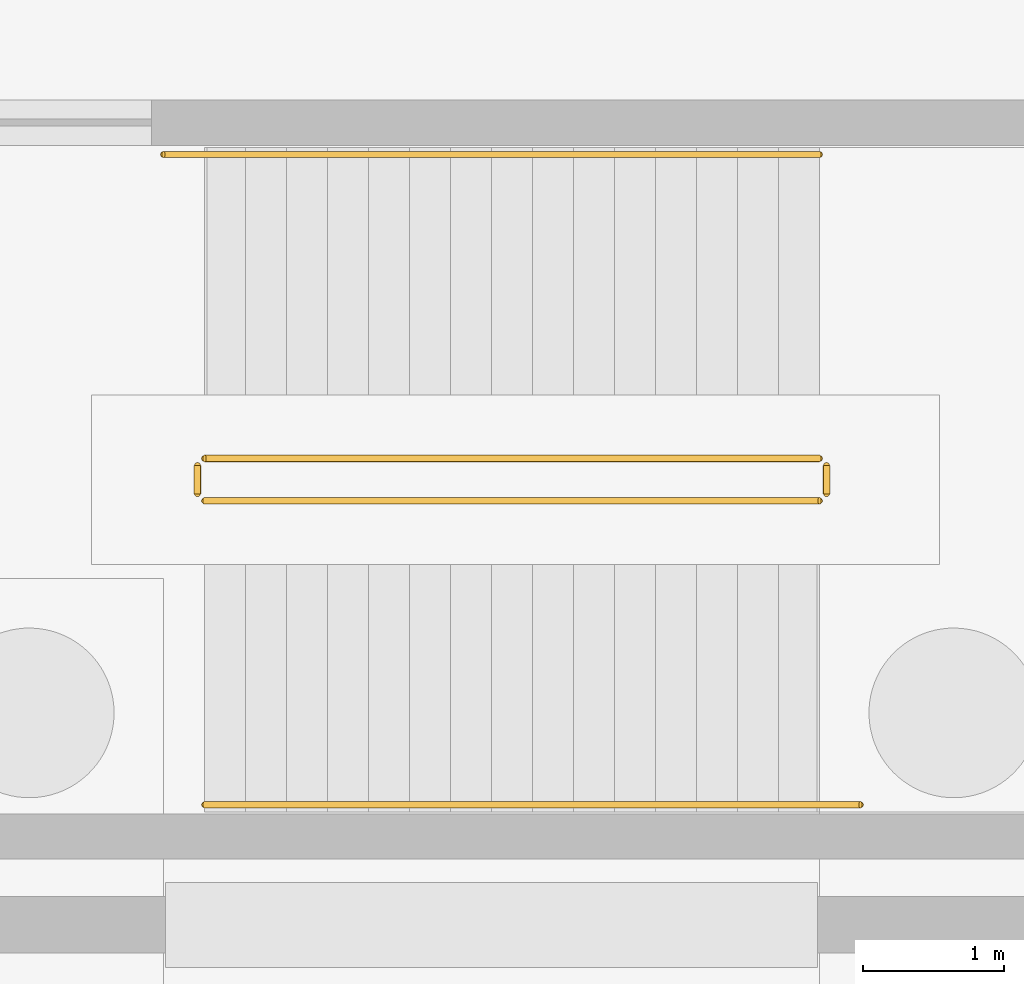
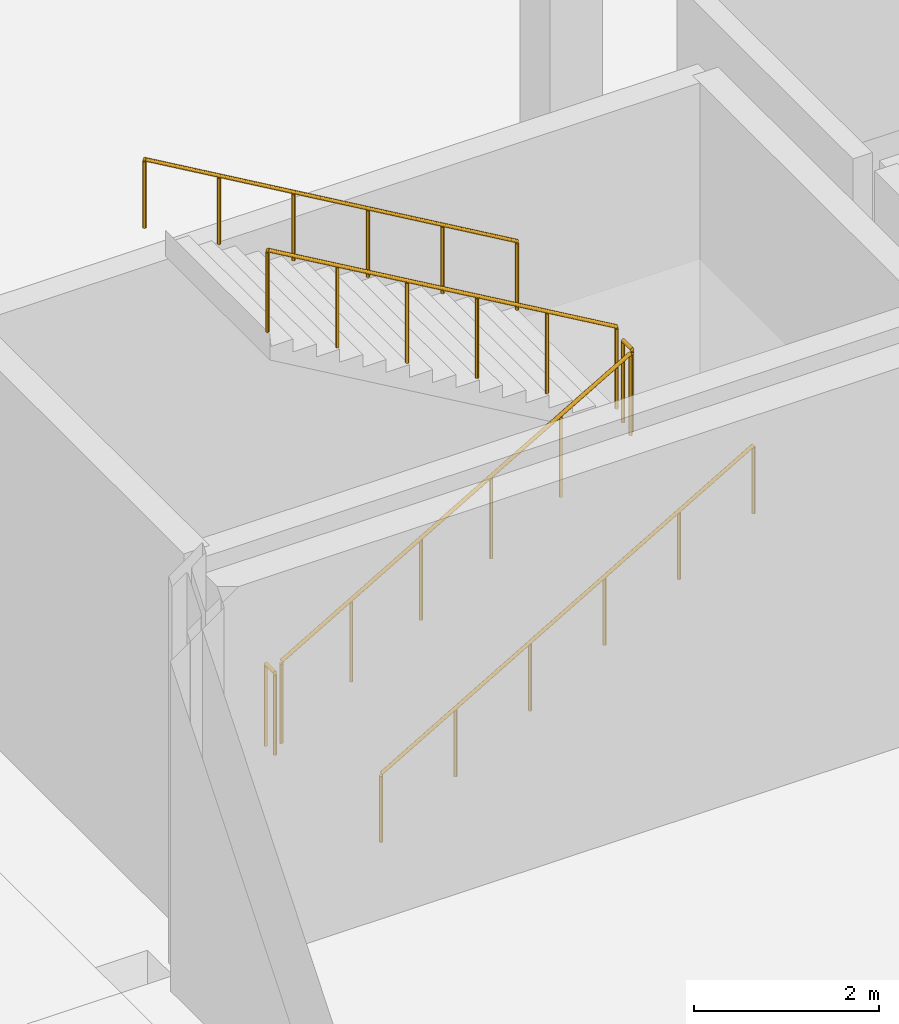
# One storey, part 55 of 60: 6 railings.
"""IFC4 building model written with IfcOpenShell, lengths in metres."""

from ifc_helpers import new_model, si_unit, direction, frame, origin, origin_2d, place, context, subcontext, project, spatial, circle, extrude, material, type_object, element, save


model = new_model("IFC4")

# Units and contexts
model_context = context("Model", 3, precision=1e-05, world=origin(), true_north=direction((0.0, 1.0)))
body_context = subcontext(model_context, "Body", "Model", "MODEL_VIEW")
ifc_project = project(units=[si_unit("LENGTHUNIT", "METRE"), si_unit("AREAUNIT", "SQUARE_METRE"), si_unit("VOLUMEUNIT", "CUBIC_METRE"), si_unit("PLANEANGLEUNIT", "RADIAN"), si_unit("MASSUNIT", "GRAM", prefix="KILO")], contexts=[model_context])

# Site, building, storey
site_placement = place(None, origin())
site = spatial("IfcSite", under=ifc_project, at=site_placement, CompositionType="ELEMENT")
building_placement = place(site_placement, origin())
building = spatial("IfcBuilding", under=site, at=building_placement, Name="Trimount Lyric Opera House", CompositionType="ELEMENT")
storey_placement = place(building_placement, frame((0.0, 0.0, -5.39990234375)))
storey = spatial("IfcBuildingStorey", under=building, at=storey_placement, Name="B1", CompositionType="ELEMENT", Elevation=-5.39990234375)

# Railings
ifc_material_1 = material(Name="Brushed Stainless Steel 316", Category="steel")
railing_type_1 = type_object("IfcRailingType", Name="RL-GRD110", PredefinedType="GUARDRAIL", material=ifc_material_1)
railing_1_placement = place(storey_placement, frame((67.050048828125, 87.0, 0.168701171875)))
element("IfcRailing", 1, at=railing_1_placement, inside=storey, type_object=railing_type_1, Name="B1 ST-03 stair guard 1", PredefinedType="GUARDRAIL", context=body_context, shape_type="SweptSolid", body=[
    extrude(circle(Radius=0.02392578125, at=origin_2d()), frame((0.0, 0.0, 1.076171875), z_axis=(0.864311530196, 0.0, 0.502956835891), x_axis=(0.0, 1.0, 0.0)), (0.0, 0.0, 1.0), 5.03271484375),
    extrude(circle(Radius=0.02099609375, at=origin_2d()), origin(), (0.0, 0.0, 1.0), 1.052001953125),
    extrude(circle(Radius=0.02099609375, at=origin_2d()), frame((0.869873046875, 0.0, 0.50634765625)), (0.0, 0.0, 1.0), 1.052001953125),
    extrude(circle(Radius=0.02099609375, at=origin_2d()), frame((1.739990234375, 0.0, 1.012451171875)), (0.0, 0.0, 1.0), 1.052001953125),
    extrude(circle(Radius=0.02099609375, at=origin_2d()), frame((2.60986328125, 0.0, 1.518798828125)), (0.0, 0.0, 1.0), 1.052001953125),
    extrude(circle(Radius=0.02099609375, at=origin_2d()), frame((3.47998046875, 0.0, 2.02490234375)), (0.0, 0.0, 1.0), 1.052001953125),
    extrude(circle(Radius=0.02099609375, at=origin_2d()), frame((4.349853515625, 0.0, 2.53125)), (0.0, 0.0, 1.0), 1.052001953125),
])
railing_2_placement = place(storey_placement, frame((71.449951171875, 87.050048828125, 2.699951171875)))
element("IfcRailing", 2, at=railing_2_placement, inside=storey, type_object=railing_type_1, Name="B1 ST-03 stair guard 2", PredefinedType="GUARDRAIL", context=body_context, shape_type="SweptSolid", body=[
    extrude(circle(Radius=0.02392578125, at=origin_2d()), frame((0.0, 0.0, 1.076171875), z_axis=(0.0, 1.0, 0.0), x_axis=(-1.0, 0.0, 0.0)), (0.0, 0.0, 1.0), 0.199951171875),
    extrude(circle(Radius=0.02099609375, at=origin_2d()), origin(), (0.0, 0.0, 1.0), 1.052001953125),
    extrude(circle(Radius=0.02099609375, at=origin_2d()), frame((0.0, 0.199951171875, 0.0)), (0.0, 0.0, 1.0), 1.052001953125),
])
railing_3_placement = place(storey_placement, frame((71.39990234375, 87.300048828125, 2.86865234375)))
element("IfcRailing", 3, at=railing_3_placement, inside=storey, type_object=railing_type_1, Name="B1 ST-03 stair guard 3", PredefinedType="GUARDRAIL", context=body_context, shape_type="SweptSolid", body=[
    extrude(circle(Radius=0.02392578125, at=origin_2d()), frame((0.0, 0.0, 1.076171875), z_axis=(-0.864311530196, 0.0, 0.502956835891), x_axis=(0.0, -1.0, 0.0)), (0.0, 0.0, 1.0), 5.03271484375),
    extrude(circle(Radius=0.02099609375, at=origin_2d()), origin(), (0.0, 0.0, 1.0), 1.052001953125),
    extrude(circle(Radius=0.02099609375, at=origin_2d()), frame((-0.869873046875, 0.0, 0.50634765625)), (0.0, 0.0, 1.0), 1.052001953125),
    extrude(circle(Radius=0.02099609375, at=origin_2d()), frame((-1.739990234375, 0.0, 1.012451171875)), (0.0, 0.0, 1.0), 1.052001953125),
    extrude(circle(Radius=0.02099609375, at=origin_2d()), frame((-2.60986328125, 0.0, 1.518798828125)), (0.0, 0.0, 1.0), 1.052001953125),
    extrude(circle(Radius=0.02099609375, at=origin_2d()), frame((-3.47998046875, 0.0, 2.02490234375)), (0.0, 0.0, 1.0), 1.052001953125),
    extrude(circle(Radius=0.02099609375, at=origin_2d()), frame((-4.349853515625, 0.0, 2.53125)), (0.0, 0.0, 1.0), 1.052001953125),
])
railing_4_placement = place(storey_placement, frame((67.0, 87.050048828125, 0.0)))
element("IfcRailing", 4, at=railing_4_placement, inside=storey, type_object=railing_type_1, Name="B1 ST-03 stair guard 4", PredefinedType="GUARDRAIL", context=body_context, shape_type="SweptSolid", body=[
    extrude(circle(Radius=0.02392578125, at=origin_2d()), frame((0.0, 0.0, 1.076171875), z_axis=(0.0, 1.0, 0.0), x_axis=(-1.0, 0.0, 0.0)), (0.0, 0.0, 1.0), 0.199951171875),
    extrude(circle(Radius=0.02099609375, at=origin_2d()), origin(), (0.0, 0.0, 1.0), 1.052001953125),
    extrude(circle(Radius=0.02099609375, at=origin_2d()), frame((0.0, 0.199951171875, 0.0)), (0.0, 0.0, 1.0), 1.052001953125),
])
ifc_material_2 = material(Name="Brushed Stainless Steel 316", Category="steel")
railing_type_2 = type_object("IfcRailingType", Name="RL-HND092", PredefinedType="HANDRAIL", material=ifc_material_2)
railing_5_placement = place(storey_placement, frame((67.050048828125, 84.85009765625, 0.168701171875)))
element("IfcRailing", 5, at=railing_5_placement, inside=storey, type_object=railing_type_2, Name="B1 ST-03 stair handrail 1", PredefinedType="HANDRAIL", context=body_context, shape_type="SweptSolid", body=[
    extrude(circle(Radius=0.0224609375, at=origin_2d()), frame((0.0, 0.0, 0.8974609375), z_axis=(0.864060742353, 0.0, 0.503387557976), x_axis=(0.0, 1.0, 0.0)), (0.0, 0.0, 1.0), 5.369873046875),
    extrude(circle(Radius=0.02099609375, at=origin_2d()), origin(), (0.0, 0.0, 1.0), 0.875),
    extrude(circle(Radius=0.02099609375, at=origin_2d()), frame((0.927978515625, 0.0, 0.54052734375)), (0.0, 0.0, 1.0), 0.875),
    extrude(circle(Radius=0.02099609375, at=origin_2d()), frame((1.85595703125, 0.0, 1.081298828125)), (0.0, 0.0, 1.0), 0.875),
    extrude(circle(Radius=0.02099609375, at=origin_2d()), frame((2.783935546875, 0.0, 1.621826171875)), (0.0, 0.0, 1.0), 0.875),
    extrude(circle(Radius=0.02099609375, at=origin_2d()), frame((3.7119140625, 0.0, 2.16259765625)), (0.0, 0.0, 1.0), 0.875),
    extrude(circle(Radius=0.02099609375, at=origin_2d()), frame((4.639892578125, 0.0, 2.703125)), (0.0, 0.0, 1.0), 0.875),
])
railing_6_placement = place(storey_placement, frame((71.39990234375, 89.449951171875, 2.86865234375)))
element("IfcRailing", 6, at=railing_6_placement, inside=storey, type_object=railing_type_2, Name="B1 ST-03 stair handrail 2", PredefinedType="HANDRAIL", context=body_context, shape_type="SweptSolid", body=[
    extrude(circle(Radius=0.0224609375, at=origin_2d()), frame((0.0, 0.0, 0.8974609375), z_axis=(-0.864060742353, 0.0, 0.503387557976), x_axis=(0.0, -1.0, 0.0)), (0.0, 0.0, 1.0), 5.369873046875),
    extrude(circle(Radius=0.02099609375, at=origin_2d()), origin(), (0.0, 0.0, 1.0), 0.875),
    extrude(circle(Radius=0.02099609375, at=origin_2d()), frame((-0.927978515625, 0.0, 0.54052734375)), (0.0, 0.0, 1.0), 0.875),
    extrude(circle(Radius=0.02099609375, at=origin_2d()), frame((-1.85595703125, 0.0, 1.081298828125)), (0.0, 0.0, 1.0), 0.875),
    extrude(circle(Radius=0.02099609375, at=origin_2d()), frame((-2.783935546875, 0.0, 1.621826171875)), (0.0, 0.0, 1.0), 0.875),
    extrude(circle(Radius=0.02099609375, at=origin_2d()), frame((-3.7119140625, 0.0, 2.16259765625)), (0.0, 0.0, 1.0), 0.875),
    extrude(circle(Radius=0.02099609375, at=origin_2d()), frame((-4.639892578125, 0.0, 2.703125)), (0.0, 0.0, 1.0), 0.875),
])

save(model, "model.ifc")
